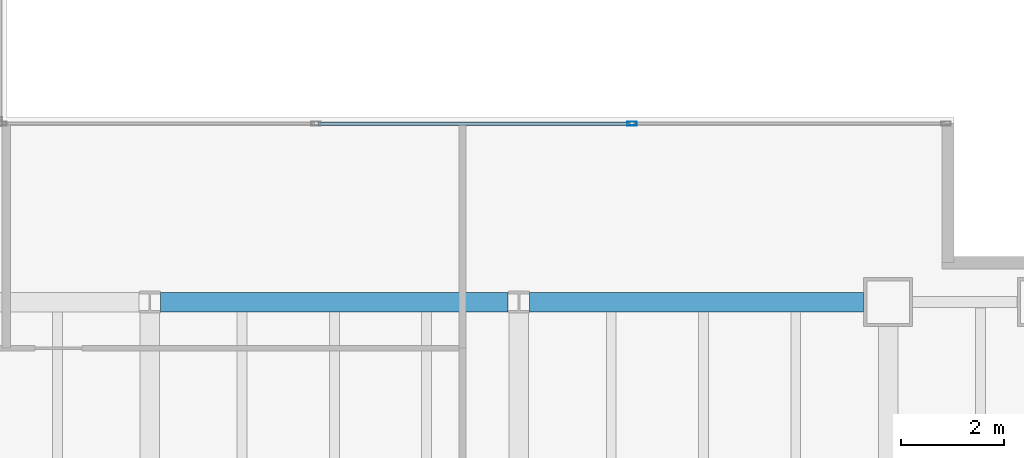
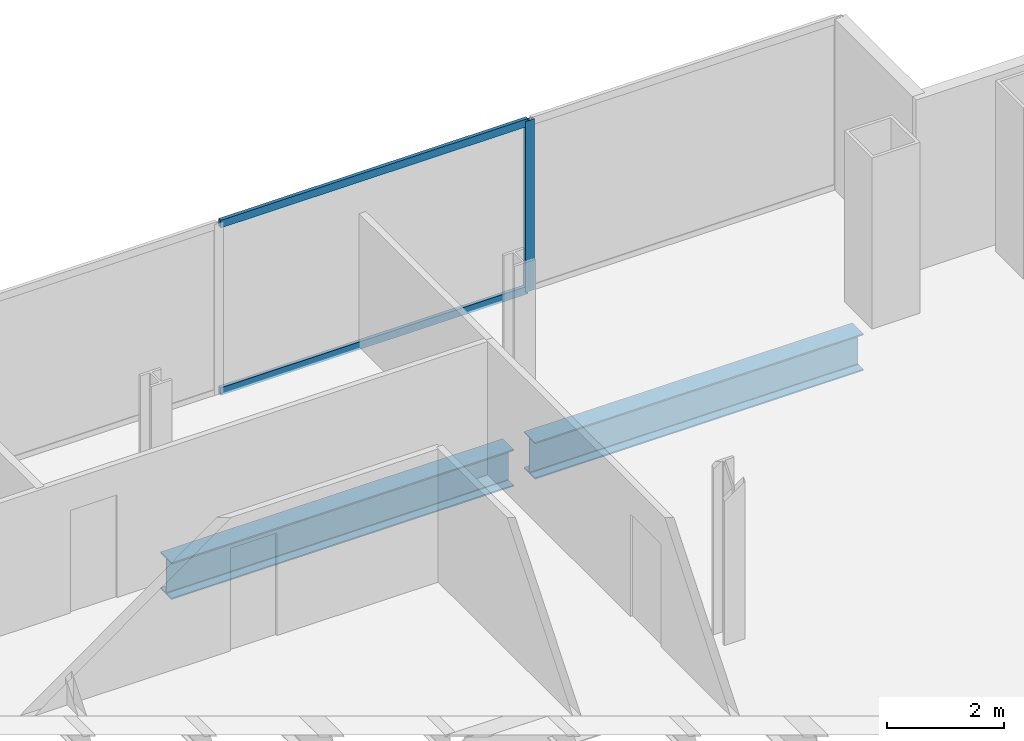
# One storey, part 14 of 23: 3 members, 2 beams, 1 element without a shape of its own.
"""IFC4 building model written with IfcOpenShell, lengths in metres."""

from ifc_helpers import new_model, si_unit, direction, frame, origin, origin_2d, place, context, subcontext, project, spatial, hollow_rectangle, i_section, extrude, material, material_profile, profile_set, type_object, element, aggregate, save


model = new_model("IFC4")

# Units and contexts
model_context = context("Model", 3, precision=1e-05, world=origin(), true_north=direction((0.0, 1.0)))
body_context = subcontext(model_context, "Body", "Model", "MODEL_VIEW")
ifc_project = project(units=[si_unit("LENGTHUNIT", "METRE"), si_unit("AREAUNIT", "SQUARE_METRE"), si_unit("VOLUMEUNIT", "CUBIC_METRE"), si_unit("PLANEANGLEUNIT", "RADIAN"), si_unit("MASSUNIT", "GRAM", prefix="KILO")], contexts=[model_context])

# Site, building, storey
site_placement = place(None, origin())
site = spatial("IfcSite", under=ifc_project, at=site_placement, CompositionType="ELEMENT")
building_placement = place(site_placement, origin())
building = spatial("IfcBuilding", under=site, at=building_placement, Name="Cobrela Telecom Tower", CompositionType="ELEMENT")
storey_placement = place(building_placement, frame((0.0, 0.0, 109.89990234375)))
storey = spatial("IfcBuildingStorey", under=building, at=storey_placement, Name="L27", CompositionType="ELEMENT", Elevation=109.89990234375)

# Beams
ifc_material_1 = material(Name="Steel ASTM A992 Grade 50", Category="steel")
ifc_material_profile_1 = material_profile(ifc_material_1, i_section(OverallWidth=0.381103515625, OverallDepth=0.77197265625, WebThickness=0.0166015625, FlangeThickness=0.027099609375, FilletRadius=0.01904296875, at=origin_2d()), Name="W30X173")
ifc_profile_set_1 = profile_set([ifc_material_profile_1], Name="Steel ASTM A992 Grade 50")
beam_type = type_object("IfcBeamType", Name="BM-GIRD-04", PredefinedType="USERDEFINED", material=ifc_profile_set_1)
beam_1_placement = place(storey_placement, frame((29.009521484375, 21.60009765625, -0.656005859375), z_axis=(1.0, 0.0, 0.0), x_axis=(0.0, 1.0, 0.0)))
element("IfcBeam", 1, at=beam_1_placement, inside=storey, type_object=beam_type, Name="L27 Primary Girder X20", ObjectType="GIRDER", PredefinedType="USERDEFINED", context=body_context, shape_type="SweptSolid", body=[
    extrude(i_section(OverallWidth=0.381103515625, OverallDepth=0.77197265625, WebThickness=0.0166015625, FlangeThickness=0.027099609375, FilletRadius=0.01904296875, at=origin_2d()), origin(), (0.0, 0.0, 1.0), 6.781005859375),
])
beam_2_placement = place(storey_placement, frame((36.20947265625, 21.60009765625, -0.656005859375), z_axis=(1.0, 0.0, 0.0), x_axis=(0.0, 1.0, 0.0)))
element("IfcBeam", 2, at=beam_2_placement, inside=storey, type_object=beam_type, Name="L27 Primary Girder X21", ObjectType="GIRDER", PredefinedType="USERDEFINED", context=body_context, shape_type="SweptSolid", body=[
    extrude(i_section(OverallWidth=0.381103515625, OverallDepth=0.77197265625, WebThickness=0.0166015625, FlangeThickness=0.027099609375, FilletRadius=0.01904296875, at=origin_2d()), origin(), (0.0, 0.0, 1.0), 6.510498046875),
])

# Curtain wall, members
ifc_material_2 = material(Name="Anodized Bronze Aluminium 6063-T6", Category="aluminium")
curtain_wall_type = type_object("IfcCurtainWallType", Name="CW-SYS-TEL", PredefinedType="USERDEFINED", material=ifc_material_2)
curtain_wall_placement = place(storey_placement, origin())
curtain_wall = element("IfcCurtainWall", 3, at=curtain_wall_placement, inside=storey, type_object=curtain_wall_type, Name="L27 Unitised Bronze Curtain Wall 11", ObjectType="UNITISED CURTAIN WALL", PredefinedType="USERDEFINED")
ifc_material_profile_2 = material_profile(ifc_material_2, hollow_rectangle(XDim=0.074951171875, YDim=0.179931640625, WallThickness=0.00390625, at=origin_2d()), Name="ALU 75x180x4")
ifc_profile_set_2 = profile_set([ifc_material_profile_2], Name="Anodized Bronze Aluminium 6063-T6")
member_type_1 = type_object("IfcMemberType", Name="CW-SYS-TEL-MUL", PredefinedType="MULLION", material=ifc_profile_set_2)
member_1_placement = place(storey_placement, frame((38.206787109375, 25.080078125, 0.0), z_axis=(0.0, 0.0, 1.0), x_axis=(0.0, 1.0, 0.0)))
member_1 = element("IfcMember", 4, at=member_1_placement, type_object=member_type_1, Name="CW-TEL mullion 3", PredefinedType="MULLION", context=body_context, shape_type="SweptSolid", body=[
    extrude(hollow_rectangle(XDim=0.074951171875, YDim=0.179931640625, WallThickness=0.00390625, at=origin_2d()), origin(), (0.0, 0.0, 1.0), 3.580078125),
])
ifc_material_profile_3 = material_profile(ifc_material_2, hollow_rectangle(XDim=0.070068359375, YDim=0.159912109375, WallThickness=0.00390625, at=origin_2d()), Name="ALU 70x160x4")
ifc_profile_set_3 = profile_set([ifc_material_profile_3], Name="Anodized Bronze Aluminium 6063-T6")
member_type_2 = type_object("IfcMemberType", Name="CW-SYS-TEL-TRN", PredefinedType="USERDEFINED", material=ifc_profile_set_3)
member_2_placement = place(storey_placement, frame((32.080810546875, 25.080078125, 0.03515625), z_axis=(1.0, 0.0, 0.0), x_axis=(0.0, 1.0, 0.0)))
member_2 = element("IfcMember", 5, at=member_2_placement, type_object=member_type_2, Name="CW-TEL transom 2.1", ObjectType="TRANSOM", PredefinedType="USERDEFINED", context=body_context, shape_type="SweptSolid", body=[
    extrude(hollow_rectangle(XDim=0.070068359375, YDim=0.159912109375, WallThickness=0.00390625, at=origin_2d()), origin(), (0.0, 0.0, 1.0), 6.08837890625),
])
member_3_placement = place(storey_placement, frame((32.080810546875, 25.080078125, 3.545166015625), z_axis=(1.0, 0.0, 0.0), x_axis=(0.0, 1.0, 0.0)))
member_3 = element("IfcMember", 6, at=member_3_placement, type_object=member_type_2, Name="CW-TEL transom 2.2", ObjectType="TRANSOM", PredefinedType="USERDEFINED", context=body_context, shape_type="SweptSolid", body=[
    extrude(hollow_rectangle(XDim=0.070068359375, YDim=0.159912109375, WallThickness=0.00390625, at=origin_2d()), origin(), (0.0, 0.0, 1.0), 6.08837890625),
])
aggregate(curtain_wall, [member_1, member_2, member_3])

save(model, "model.ifc")
